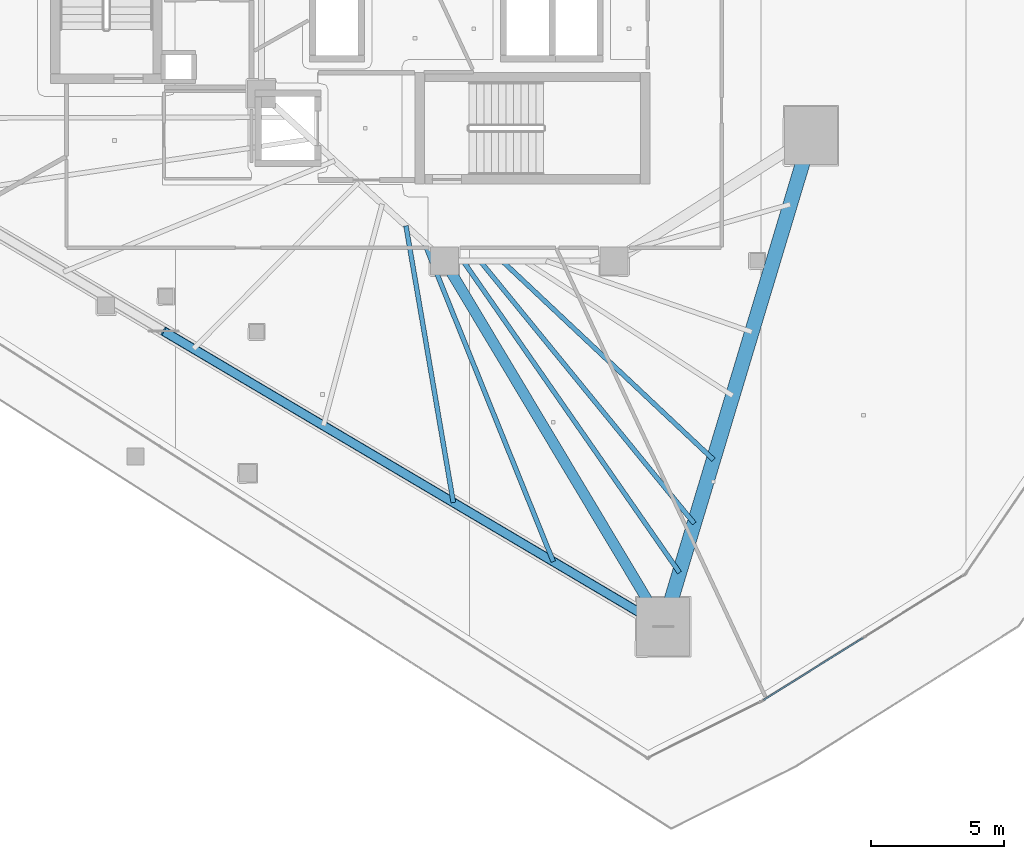
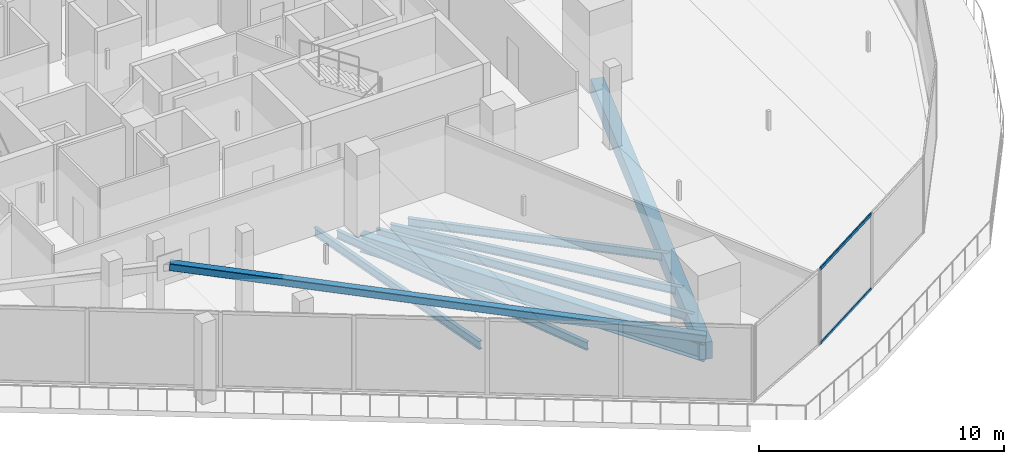
# One storey, part 8 of 40: 7 beams, 3 members, 1 element without a shape of its own.
"""IFC4 building model written with IfcOpenShell, lengths in metres."""

from ifc_helpers import new_model, si_unit, direction, frame, origin, origin_2d, place, context, subcontext, project, spatial, rectangle, hollow_rectangle, i_section, extrude, material, layer, layer_set, material_profile, profile_set, type_object, element, aggregate, save


model = new_model("IFC4")

# Units and contexts
model_context = context("Model", 3, precision=1e-05, world=origin(), true_north=direction((0.0, 1.0)))
body_context = subcontext(model_context, "Body", "Model", "MODEL_VIEW")
ifc_project = project(units=[si_unit("LENGTHUNIT", "METRE"), si_unit("AREAUNIT", "SQUARE_METRE"), si_unit("VOLUMEUNIT", "CUBIC_METRE"), si_unit("PLANEANGLEUNIT", "RADIAN"), si_unit("MASSUNIT", "GRAM", prefix="KILO")], contexts=[model_context])

# Site, building, storey
site_placement = place(None, origin())
site = spatial("IfcSite", under=ifc_project, at=site_placement, CompositionType="ELEMENT")
building_placement = place(site_placement, origin())
building = spatial("IfcBuilding", under=site, at=building_placement, Name="Qorvath Tower", CompositionType="ELEMENT")
storey_placement = place(building_placement, frame((0.0, 0.0, 138.14990234375)))
storey = spatial("IfcBuildingStorey", under=building, at=storey_placement, Name="L31", CompositionType="ELEMENT", Elevation=138.14990234375)

# Beams
ifc_material_1 = material(Name="Steel ASTM A992 Grade 50", Category="steel")
ifc_material_profile_1 = material_profile(ifc_material_1, i_section(OverallWidth=0.39892578125, OverallDepth=0.85498046875, WebThickness=0.018310546875, FlangeThickness=0.029296875, FilletRadius=0.02001953125, at=origin_2d()), Name="W33x201")
ifc_profile_set_1 = profile_set([ifc_material_profile_1], Name="Steel ASTM A992 Grade 50")
beam_type_1 = type_object("IfcBeamType", Name="BM-FG2", PredefinedType="BEAM", material=ifc_profile_set_1)
beam_1_placement = place(storey_placement, frame((-23.60009765625, -11.449951171875, -0.697509765625), z_axis=(0.513497213955, -0.85809126045, 0.0), x_axis=(0.85809126045, 0.513497213955, 0.0)))
element("IfcBeam", 1, at=beam_1_placement, inside=storey, type_object=beam_type_1, Name="Radial Floor Girder CC4-MC3 L31", PredefinedType="BEAM", context=body_context, shape_type="SweptSolid", body=[
    extrude(i_section(OverallWidth=0.39892578125, OverallDepth=0.85498046875, WebThickness=0.018310546875, FlangeThickness=0.029296875, FilletRadius=0.02001953125, at=origin_2d()), origin(), (0.0, 0.0, 1.0), 16.07763671875),
])
ifc_material_2 = material(Name="Steel ASTM A992 Grade 50", Category="steel")
ifc_material_profile_2 = material_profile(ifc_material_2, i_section(OverallWidth=0.177978515625, OverallDepth=0.406005859375, WebThickness=0.0078125, FlangeThickness=0.0126953125, FilletRadius=0.010986328125, at=origin_2d()), Name="W16x40")
ifc_profile_set_2 = profile_set([ifc_material_profile_2], Name="Steel ASTM A992 Grade 50")
beam_type_2 = type_object("IfcBeamType", Name="BM-FJ3", PredefinedType="JOIST", material=ifc_profile_set_2)
beam_2_placement = place(storey_placement, frame((-21.424072265625, -11.449951171875, -0.472900390625), z_axis=(0.728572459091, -0.684968737866, 0.0), x_axis=(0.684968737866, 0.728572459091, 0.0)))
element("IfcBeam", 2, at=beam_2_placement, inside=storey, type_object=beam_type_2, Name="Composite Floor Joist SE5 L31", PredefinedType="JOIST", context=body_context, shape_type="SweptSolid", body=[
    extrude(i_section(OverallWidth=0.177978515625, OverallDepth=0.406005859375, WebThickness=0.0078125, FlangeThickness=0.0126953125, FilletRadius=0.010986328125, at=origin_2d()), origin(), (0.0, 0.0, 1.0), 10.9462890625),
])
beam_3_placement = place(storey_placement, frame((-22.256103515625, -11.449951171875, -0.472900390625), z_axis=(0.632187975212, -0.774815051478, 0.0), x_axis=(0.774815051478, 0.632187975212, 0.0)))
element("IfcBeam", 3, at=beam_3_placement, inside=storey, type_object=beam_type_2, Name="Composite Floor Joist SE6 L31", PredefinedType="JOIST", context=body_context, shape_type="SweptSolid", body=[
    extrude(i_section(OverallWidth=0.177978515625, OverallDepth=0.406005859375, WebThickness=0.0078125, FlangeThickness=0.0126953125, FilletRadius=0.010986328125, at=origin_2d()), origin(), (0.0, 0.0, 1.0), 12.784912109375),
])
beam_4_placement = place(storey_placement, frame((-22.89599609375, -11.449951171875, -0.472900390625), z_axis=(0.570366725248, -0.821390162304, 0.0), x_axis=(0.821390162304, 0.570366725248, 0.0)))
element("IfcBeam", 4, at=beam_4_placement, inside=storey, type_object=beam_type_2, Name="Composite Floor Joist SE7 L31", PredefinedType="JOIST", context=body_context, shape_type="SweptSolid", body=[
    extrude(i_section(OverallWidth=0.177978515625, OverallDepth=0.406005859375, WebThickness=0.0078125, FlangeThickness=0.0126953125, FilletRadius=0.010986328125, at=origin_2d()), origin(), (0.0, 0.0, 1.0), 14.3154296875),
])
beam_5_placement = place(storey_placement, frame((-25.049072265625, -10.126953125, -0.472900390625), z_axis=(0.168745594245, -0.985659639238, 0.0), x_axis=(0.985659639238, 0.168745594245, 0.0)))
element("IfcBeam", 5, at=beam_5_placement, inside=storey, type_object=beam_type_2, Name="Composite Floor Joist SW6 L31", PredefinedType="JOIST", context=body_context, shape_type="SweptSolid", body=[
    extrude(i_section(OverallWidth=0.177978515625, OverallDepth=0.406005859375, WebThickness=0.0078125, FlangeThickness=0.0126953125, FilletRadius=0.010986328125, at=origin_2d()), origin(), (0.0, 0.0, 1.0), 10.589111328125),
])
beam_6_placement = place(storey_placement, frame((-24.35888671875, -10.757080078125, -0.472900390625), z_axis=(0.37487652097, -0.927074751045, 0.0), x_axis=(0.927074751045, 0.37487652097, 0.0)))
element("IfcBeam", 6, at=beam_6_placement, inside=storey, type_object=beam_type_2, Name="Composite Floor Joist SW7 L31", PredefinedType="JOIST", context=body_context, shape_type="SweptSolid", body=[
    extrude(i_section(OverallWidth=0.177978515625, OverallDepth=0.406005859375, WebThickness=0.0078125, FlangeThickness=0.0126953125, FilletRadius=0.010986328125, at=origin_2d()), origin(), (0.0, 0.0, 1.0), 12.9833984375),
])
ifc_material_3 = material(Name="Concrete C50/60", Category="concrete")
ifc_material_profile_3 = material_profile(ifc_material_3, rectangle(XDim=0.550048828125, YDim=0.85009765625, at=origin_2d()), Name="RCB 850x550")
ifc_profile_set_3 = profile_set([ifc_material_profile_3], Name="Concrete C50/60")
beam_type_3 = type_object("IfcBeamType", Name="BM-RCB2", PredefinedType="SPANDREL", material=ifc_profile_set_3)
beam_7_placement = place(storey_placement, frame((-15.34423828125, -25.24609375, -0.695068359375), z_axis=(0.288133952099, 0.957590113591, 0.0), x_axis=(-0.957590113591, 0.288133952099, 0.0)))
element("IfcBeam", 7, at=beam_7_placement, inside=storey, type_object=beam_type_3, Name="Perimeter Loggia Frame Beam MC3-MC4 L31", PredefinedType="SPANDREL", context=body_context, shape_type="SweptSolid", body=[
    extrude(rectangle(XDim=0.550048828125, YDim=0.85009765625, at=origin_2d()), origin(), (0.0, 0.0, 1.0), 19.344970703125),
])

# Curtain wall, members
ifc_material_4 = material(Name="Anodised aluminium and triple low-E glass", Category="aluminium")
ifc_layer = layer(ifc_material_4, 0.179931640625)
ifc_layer_set = layer_set([ifc_layer], Name="CW-SYS-3")
curtain_wall_type = type_object("IfcCurtainWallType", Name="CW-SYS-3", PredefinedType="NOTDEFINED", material=ifc_layer_set)
curtain_wall_placement = place(storey_placement, origin())
curtain_wall = element("IfcCurtainWall", 8, at=curtain_wall_placement, inside=storey, type_object=curtain_wall_type, Name="Curtain Wall CW-3 CW-T-L31-4.1", PredefinedType="NOTDEFINED")
ifc_material_5 = material(Name="Anodised aluminium 6063-T6", Category="aluminium")
ifc_material_profile_4 = material_profile(ifc_material_5, hollow_rectangle(XDim=0.06494140625, YDim=0.159912109375, WallThickness=0.00341796875, InnerFilletRadius=0.00341796875, OuterFilletRadius=0.007080078125, at=origin_2d()), Name="CWT 160x65")
ifc_profile_set_4 = profile_set([ifc_material_profile_4], Name="Anodised aluminium 6063-T6")
member_type_1 = type_object("IfcMemberType", Name="CWT-160", PredefinedType="USERDEFINED", material=ifc_profile_set_4)
member_1_placement = place(storey_placement, frame((-11.560302734375, -28.015380859375, 0.032470703125), z_axis=(0.848348628419, 0.529438008325, 0.0), x_axis=(-0.529438008325, 0.848348628419, 0.0)))
member_1 = element("IfcMember", 9, at=member_1_placement, type_object=member_type_1, Name="CW-3 transom 1.1", ObjectType="TRANSOM", PredefinedType="USERDEFINED", context=body_context, shape_type="SweptSolid", body=[
    extrude(hollow_rectangle(XDim=0.06494140625, YDim=0.159912109375, WallThickness=0.00341796875, InnerFilletRadius=0.00341796875, OuterFilletRadius=0.007080078125, at=origin_2d()), origin(), (0.0, 0.0, 1.0), 4.421875),
])
member_2_placement = place(storey_placement, frame((-11.560302734375, -28.015380859375, 3.74755859375), z_axis=(0.848348628419, 0.529438008325, 0.0), x_axis=(-0.529438008325, 0.848348628419, 0.0)))
member_2 = element("IfcMember", 10, at=member_2_placement, type_object=member_type_1, Name="CW-3 transom 1.2", ObjectType="TRANSOM", PredefinedType="USERDEFINED", context=body_context, shape_type="SweptSolid", body=[
    extrude(hollow_rectangle(XDim=0.06494140625, YDim=0.159912109375, WallThickness=0.00341796875, InnerFilletRadius=0.00341796875, OuterFilletRadius=0.007080078125, at=origin_2d()), origin(), (0.0, 0.0, 1.0), 4.421875),
])
aggregate(curtain_wall, [member_1, member_2])

# Member
ifc_material_6 = material(Name="Steel ASTM A500 Grade C", Category="steel")
ifc_material_profile_5 = material_profile(ifc_material_6, hollow_rectangle(XDim=0.355712890625, YDim=0.355712890625, WallThickness=0.015869140625, InnerFilletRadius=0.015869140625, OuterFilletRadius=0.03173828125, at=origin_2d()), Name="HSS 356x356x16")
ifc_profile_set_5 = profile_set([ifc_material_profile_5], Name="Steel ASTM A500 Grade C")
member_type_2 = type_object("IfcMemberType", Name="MEM-MB2", PredefinedType="BRACE", material=ifc_profile_set_5)
member_3_placement = place(storey_placement, frame((-15.34423828125, -25.24609375, 0.0), z_axis=(-0.850410115142, 0.502856465521, 0.154719136333), x_axis=(-0.508985415689, -0.860775142889, 0.0)))
element("IfcMember", 11, at=member_3_placement, inside=storey, type_object=member_type_2, Name="Perimeter Chevron Brace L31-2B", PredefinedType="BRACE", context=body_context, shape_type="SweptSolid", body=[
    extrude(hollow_rectangle(XDim=0.355712890625, YDim=0.355712890625, WallThickness=0.015869140625, InnerFilletRadius=0.015869140625, OuterFilletRadius=0.03173828125, at=origin_2d()), origin(), (0.0, 0.0, 1.0), 22.168701171875),
])

save(model, "model.ifc")
